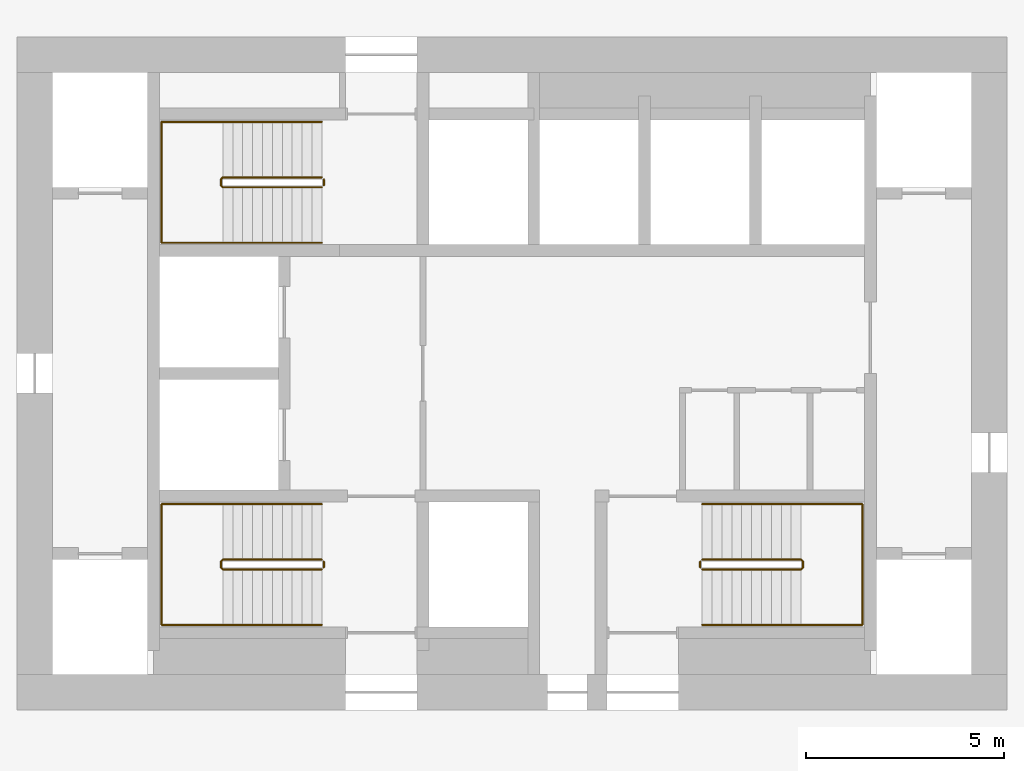
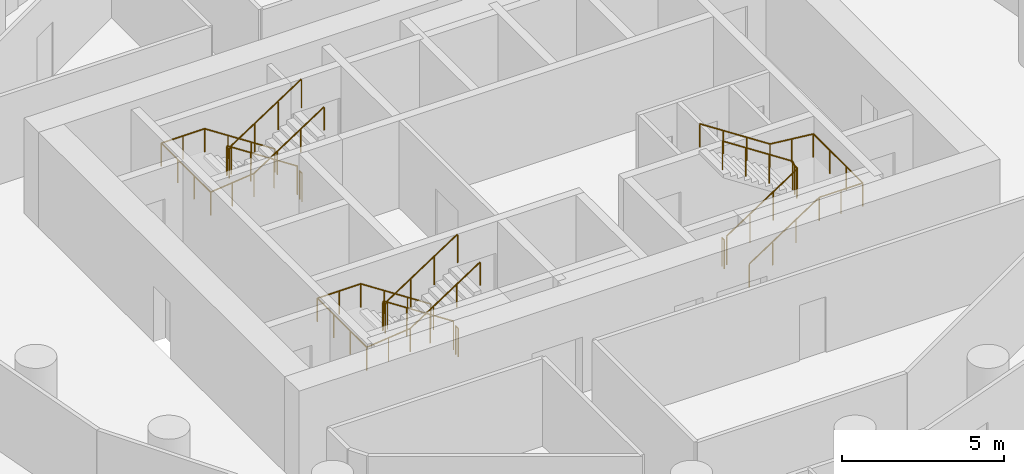
# One storey, part 9 of 9: 9 railings.
"""IFC4 building model written with IfcOpenShell, lengths in metres."""

from ifc_helpers import new_model, si_unit, direction, frame, origin, origin_2d, place, context, subcontext, project, spatial, circle, extrude, material, type_object, element, save


model = new_model("IFC4")

# Units and contexts
model_context = context("Model", 3, precision=1e-05, world=origin(), true_north=direction((0.0, 1.0)))
body_context = subcontext(model_context, "Body", "Model", "MODEL_VIEW")
ifc_project = project(units=[si_unit("LENGTHUNIT", "METRE"), si_unit("AREAUNIT", "SQUARE_METRE"), si_unit("VOLUMEUNIT", "CUBIC_METRE"), si_unit("PLANEANGLEUNIT", "RADIAN"), si_unit("MASSUNIT", "GRAM", prefix="KILO")], contexts=[model_context])

# Site, building, storey
site_placement = place(None, origin())
site = spatial("IfcSite", under=ifc_project, at=site_placement, CompositionType="ELEMENT")
building_placement = place(site_placement, origin())
building = spatial("IfcBuilding", under=site, at=building_placement, Name="Tracery Tower", CompositionType="ELEMENT")
storey_placement = place(building_placement, frame((0.0, 0.0, 183.60009765625)))
storey = spatial("IfcBuildingStorey", under=building, at=storey_placement, Name="L47", CompositionType="ELEMENT", Elevation=183.60009765625)

# Railings
ifc_material_1 = material(Name="Stainless steel and laminated glass", Category="steel")
railing_type_1 = type_object("IfcRailingType", Name="Stair guard 1100", PredefinedType="GUARDRAIL", material=ifc_material_1)
railing_1_placement = place(storey_placement, frame((-4.800048828125, -4.699951171875, 0.16357421875)))
element("IfcRailing", 1, at=railing_1_placement, inside=storey, type_object=railing_type_1, Name="L47 stair ST1 guard 1", PredefinedType="GUARDRAIL", context=body_context, shape_type="SweptSolid", body=[
    extrude(circle(Radius=0.02392578125, at=origin_2d()), frame((0.0, 0.0, 1.076171875), z_axis=(-0.836721939367, 0.0, 0.547627972425), x_axis=(0.0, -1.0, 0.0)), (0.0, 0.0, 1.0), 2.98779296875),
    extrude(circle(Radius=0.02392578125, at=origin_2d()), frame((-2.5, 0.0, 2.71240234375), z_axis=(-0.707106781187, -0.707106781187, 0.0), x_axis=(0.707106781187, -0.707106781187, 0.0)), (0.0, 0.0, 1.0), 0.07080078125),
    extrude(circle(Radius=0.02392578125, at=origin_2d()), frame((-2.550048828125, -0.050048828125, 2.71240234375), z_axis=(0.0, -1.0, 0.0), x_axis=(1.0, 0.0, 0.0)), (0.0, 0.0, 1.0), 0.14990234375),
    extrude(circle(Radius=0.02392578125, at=origin_2d()), frame((-2.550048828125, -0.199951171875, 2.71240234375), z_axis=(0.280456126637, -0.280456126637, 0.917980785237), x_axis=(0.707106781187, 0.707106781187, 0.0)), (0.0, 0.0, 1.0), 0.178466796875),
    extrude(circle(Radius=0.02392578125, at=origin_2d()), frame((-2.5, -0.25, 2.8759765625), z_axis=(0.836721939367, 0.0, 0.547627972425), x_axis=(0.0, 1.0, 0.0)), (0.0, 0.0, 1.0), 2.98779296875),
    extrude(circle(Radius=0.02099609375, at=origin_2d()), origin(), (0.0, 0.0, 1.0), 1.052001953125),
    extrude(circle(Radius=0.02099609375, at=origin_2d()), frame((-0.833251953125, 0.0, 0.54541015625)), (0.0, 0.0, 1.0), 1.052001953125),
    extrude(circle(Radius=0.02099609375, at=origin_2d()), frame((-1.666748046875, 0.0, 1.0908203125)), (0.0, 0.0, 1.0), 1.052001953125),
    extrude(circle(Radius=0.02099609375, at=origin_2d()), frame((-2.5, 0.0, 1.63623046875)), (0.0, 0.0, 1.0), 1.052001953125),
    extrude(circle(Radius=0.02099609375, at=origin_2d()), frame((-2.550048828125, -0.050048828125, 1.63623046875)), (0.0, 0.0, 1.0), 1.052001953125),
    extrude(circle(Radius=0.02099609375, at=origin_2d()), frame((-2.550048828125, -0.199951171875, 1.63623046875)), (0.0, 0.0, 1.0), 1.052001953125),
    extrude(circle(Radius=0.02099609375, at=origin_2d()), frame((-2.5, -0.25, 1.800048828125)), (0.0, 0.0, 1.0), 1.052001953125),
    extrude(circle(Radius=0.02099609375, at=origin_2d()), frame((-1.666748046875, -0.25, 2.345458984375)), (0.0, 0.0, 1.0), 1.052001953125),
    extrude(circle(Radius=0.02099609375, at=origin_2d()), frame((-0.833251953125, -0.25, 2.890869140625)), (0.0, 0.0, 1.0), 1.052001953125),
    extrude(circle(Radius=0.02099609375, at=origin_2d()), frame((0.0, -0.25, 3.436279296875)), (0.0, 0.0, 1.0), 1.052001953125),
])
railing_2_placement = place(storey_placement, frame((-4.75, -4.75, 0.0)))
element("IfcRailing", 2, at=railing_2_placement, inside=storey, type_object=railing_type_1, Name="L47 stair ST1 guard 2", PredefinedType="GUARDRAIL", context=body_context, shape_type="SweptSolid", body=[
    extrude(circle(Radius=0.02392578125, at=origin_2d()), frame((0.0, 0.0, 1.076171875), z_axis=(0.0, -1.0, 0.0), x_axis=(1.0, 0.0, 0.0)), (0.0, 0.0, 1.0), 0.14990234375),
    extrude(circle(Radius=0.02099609375, at=origin_2d()), origin(), (0.0, 0.0, 1.0), 1.052001953125),
    extrude(circle(Radius=0.02099609375, at=origin_2d()), frame((0.0, -0.14990234375, 0.0)), (0.0, 0.0, 1.0), 1.052001953125),
])
railing_3_placement = place(storey_placement, frame((-4.800048828125, 4.949951171875, 0.16357421875)))
element("IfcRailing", 3, at=railing_3_placement, inside=storey, type_object=railing_type_1, Name="L47 stair ST3 guard 1", PredefinedType="GUARDRAIL", context=body_context, shape_type="SweptSolid", body=[
    extrude(circle(Radius=0.02392578125, at=origin_2d()), frame((0.0, 0.0, 1.076171875), z_axis=(-0.836721939367, 0.0, 0.547627972425), x_axis=(0.0, -1.0, 0.0)), (0.0, 0.0, 1.0), 2.98779296875),
    extrude(circle(Radius=0.02392578125, at=origin_2d()), frame((-2.5, 0.0, 2.71240234375), z_axis=(-0.707106781187, -0.707106781187, 0.0), x_axis=(0.707106781187, -0.707106781187, 0.0)), (0.0, 0.0, 1.0), 0.07080078125),
    extrude(circle(Radius=0.02392578125, at=origin_2d()), frame((-2.550048828125, -0.050048828125, 2.71240234375), z_axis=(0.0, -1.0, 0.0), x_axis=(1.0, 0.0, 0.0)), (0.0, 0.0, 1.0), 0.14990234375),
    extrude(circle(Radius=0.02392578125, at=origin_2d()), frame((-2.550048828125, -0.199951171875, 2.71240234375), z_axis=(0.280456126637, -0.280456126637, 0.917980785237), x_axis=(0.707106781187, 0.707106781187, 0.0)), (0.0, 0.0, 1.0), 0.178466796875),
    extrude(circle(Radius=0.02392578125, at=origin_2d()), frame((-2.5, -0.25, 2.8759765625), z_axis=(0.836721939367, 0.0, 0.547627972425), x_axis=(0.0, 1.0, 0.0)), (0.0, 0.0, 1.0), 2.98779296875),
    extrude(circle(Radius=0.02099609375, at=origin_2d()), origin(), (0.0, 0.0, 1.0), 1.052001953125),
    extrude(circle(Radius=0.02099609375, at=origin_2d()), frame((-0.833251953125, 0.0, 0.54541015625)), (0.0, 0.0, 1.0), 1.052001953125),
    extrude(circle(Radius=0.02099609375, at=origin_2d()), frame((-1.666748046875, 0.0, 1.0908203125)), (0.0, 0.0, 1.0), 1.052001953125),
    extrude(circle(Radius=0.02099609375, at=origin_2d()), frame((-2.5, 0.0, 1.63623046875)), (0.0, 0.0, 1.0), 1.052001953125),
    extrude(circle(Radius=0.02099609375, at=origin_2d()), frame((-2.550048828125, -0.050048828125, 1.63623046875)), (0.0, 0.0, 1.0), 1.052001953125),
    extrude(circle(Radius=0.02099609375, at=origin_2d()), frame((-2.550048828125, -0.199951171875, 1.63623046875)), (0.0, 0.0, 1.0), 1.052001953125),
    extrude(circle(Radius=0.02099609375, at=origin_2d()), frame((-2.5, -0.25, 1.800048828125)), (0.0, 0.0, 1.0), 1.052001953125),
    extrude(circle(Radius=0.02099609375, at=origin_2d()), frame((-1.666748046875, -0.25, 2.345458984375)), (0.0, 0.0, 1.0), 1.052001953125),
    extrude(circle(Radius=0.02099609375, at=origin_2d()), frame((-0.833251953125, -0.25, 2.890869140625)), (0.0, 0.0, 1.0), 1.052001953125),
    extrude(circle(Radius=0.02099609375, at=origin_2d()), frame((0.0, -0.25, 3.436279296875)), (0.0, 0.0, 1.0), 1.052001953125),
])
railing_4_placement = place(storey_placement, frame((-4.75, 4.89990234375, 0.0)))
element("IfcRailing", 4, at=railing_4_placement, inside=storey, type_object=railing_type_1, Name="L47 stair ST3 guard 2", PredefinedType="GUARDRAIL", context=body_context, shape_type="SweptSolid", body=[
    extrude(circle(Radius=0.02392578125, at=origin_2d()), frame((0.0, 0.0, 1.076171875), z_axis=(0.0, -1.0, 0.0), x_axis=(1.0, 0.0, 0.0)), (0.0, 0.0, 1.0), 0.14990234375),
    extrude(circle(Radius=0.02099609375, at=origin_2d()), origin(), (0.0, 0.0, 1.0), 1.052001953125),
    extrude(circle(Radius=0.02099609375, at=origin_2d()), frame((0.0, -0.14990234375, 0.0)), (0.0, 0.0, 1.0), 1.052001953125),
])
railing_5_placement = place(storey_placement, frame((4.800048828125, -4.949951171875, 0.16357421875)))
element("IfcRailing", 5, at=railing_5_placement, inside=storey, type_object=railing_type_1, Name="L47 stair ST2 guard 1", PredefinedType="GUARDRAIL", context=body_context, shape_type="SweptSolid", body=[
    extrude(circle(Radius=0.02392578125, at=origin_2d()), frame((0.0, 0.0, 1.076171875), z_axis=(0.836721939367, 0.0, 0.547627972425), x_axis=(0.0, 1.0, 0.0)), (0.0, 0.0, 1.0), 2.98779296875),
    extrude(circle(Radius=0.02392578125, at=origin_2d()), frame((2.5, 0.0, 2.71240234375), z_axis=(0.707106781187, 0.707106781187, 0.0), x_axis=(-0.707106781187, 0.707106781187, 0.0)), (0.0, 0.0, 1.0), 0.07080078125),
    extrude(circle(Radius=0.02392578125, at=origin_2d()), frame((2.550048828125, 0.050048828125, 2.71240234375), z_axis=(0.0, 1.0, 0.0), x_axis=(-1.0, 0.0, 0.0)), (0.0, 0.0, 1.0), 0.14990234375),
    extrude(circle(Radius=0.02392578125, at=origin_2d()), frame((2.550048828125, 0.199951171875, 2.71240234375), z_axis=(-0.280456126637, 0.280456126637, 0.917980785237), x_axis=(-0.707106781187, -0.707106781187, 0.0)), (0.0, 0.0, 1.0), 0.178466796875),
    extrude(circle(Radius=0.02392578125, at=origin_2d()), frame((2.5, 0.25, 2.8759765625), z_axis=(-0.836721939367, 0.0, 0.547627972425), x_axis=(0.0, -1.0, 0.0)), (0.0, 0.0, 1.0), 2.98779296875),
    extrude(circle(Radius=0.02099609375, at=origin_2d()), origin(), (0.0, 0.0, 1.0), 1.052001953125),
    extrude(circle(Radius=0.02099609375, at=origin_2d()), frame((0.833251953125, 0.0, 0.54541015625)), (0.0, 0.0, 1.0), 1.052001953125),
    extrude(circle(Radius=0.02099609375, at=origin_2d()), frame((1.666748046875, 0.0, 1.0908203125)), (0.0, 0.0, 1.0), 1.052001953125),
    extrude(circle(Radius=0.02099609375, at=origin_2d()), frame((2.5, 0.0, 1.63623046875)), (0.0, 0.0, 1.0), 1.052001953125),
    extrude(circle(Radius=0.02099609375, at=origin_2d()), frame((2.550048828125, 0.050048828125, 1.63623046875)), (0.0, 0.0, 1.0), 1.052001953125),
    extrude(circle(Radius=0.02099609375, at=origin_2d()), frame((2.550048828125, 0.199951171875, 1.63623046875)), (0.0, 0.0, 1.0), 1.052001953125),
    extrude(circle(Radius=0.02099609375, at=origin_2d()), frame((2.5, 0.25, 1.800048828125)), (0.0, 0.0, 1.0), 1.052001953125),
    extrude(circle(Radius=0.02099609375, at=origin_2d()), frame((1.666748046875, 0.25, 2.345458984375)), (0.0, 0.0, 1.0), 1.052001953125),
    extrude(circle(Radius=0.02099609375, at=origin_2d()), frame((0.833251953125, 0.25, 2.890869140625)), (0.0, 0.0, 1.0), 1.052001953125),
    extrude(circle(Radius=0.02099609375, at=origin_2d()), frame((0.0, 0.25, 3.436279296875)), (0.0, 0.0, 1.0), 1.052001953125),
])
railing_6_placement = place(storey_placement, frame((4.75, -4.89990234375, 0.0)))
element("IfcRailing", 6, at=railing_6_placement, inside=storey, type_object=railing_type_1, Name="L47 stair ST2 guard 2", PredefinedType="GUARDRAIL", context=body_context, shape_type="SweptSolid", body=[
    extrude(circle(Radius=0.02392578125, at=origin_2d()), frame((0.0, 0.0, 1.076171875), z_axis=(0.0, 1.0, 0.0), x_axis=(-1.0, 0.0, 0.0)), (0.0, 0.0, 1.0), 0.14990234375),
    extrude(circle(Radius=0.02099609375, at=origin_2d()), origin(), (0.0, 0.0, 1.0), 1.052001953125),
    extrude(circle(Radius=0.02099609375, at=origin_2d()), frame((0.0, 0.14990234375, 0.0)), (0.0, 0.0, 1.0), 1.052001953125),
])
ifc_material_2 = material(Name="Stainless steel and laminated glass", Category="steel")
railing_type_2 = type_object("IfcRailingType", Name="Stair handrail 900", PredefinedType="HANDRAIL", material=ifc_material_2)
railing_7_placement = place(storey_placement, frame((-4.800048828125, -3.300048828125, 0.16357421875)))
element("IfcRailing", 7, at=railing_7_placement, inside=storey, type_object=railing_type_2, Name="L47 stair ST1 handrail 1", PredefinedType="HANDRAIL", context=body_context, shape_type="SweptSolid", body=[
    extrude(circle(Radius=0.02392578125, at=origin_2d()), frame((0.0, 0.0, 0.8759765625), z_axis=(-0.836721939367, 0.0, 0.547627972425), x_axis=(0.0, -1.0, 0.0)), (0.0, 0.0, 1.0), 2.98779296875),
    extrude(circle(Radius=0.02392578125, at=origin_2d()), frame((-2.5, 0.0, 2.51220703125), z_axis=(-1.0, 0.0, 0.0), x_axis=(0.0, -1.0, 0.0)), (0.0, 0.0, 1.0), 1.550048828125),
    extrude(circle(Radius=0.02392578125, at=origin_2d()), frame((-4.050048828125, 0.0, 2.51220703125), z_axis=(0.0, -1.0, 0.0), x_axis=(1.0, 0.0, 0.0)), (0.0, 0.0, 1.0), 3.050048828125),
    extrude(circle(Radius=0.02392578125, at=origin_2d()), frame((-4.050048828125, -3.050048828125, 2.51220703125), z_axis=(0.994461594632, 0.0, 0.105100603244), x_axis=(0.0, 1.0, 0.0)), (0.0, 0.0, 1.0), 1.55859375),
    extrude(circle(Radius=0.02392578125, at=origin_2d()), frame((-2.5, -3.050048828125, 2.67578125), z_axis=(0.836721939367, 0.0, 0.547627972425), x_axis=(0.0, 1.0, 0.0)), (0.0, 0.0, 1.0), 2.98779296875),
    extrude(circle(Radius=0.02099609375, at=origin_2d()), origin(), (0.0, 0.0, 1.0), 0.851806640625),
    extrude(circle(Radius=0.02099609375, at=origin_2d()), frame((-0.833251953125, 0.0, 0.54541015625)), (0.0, 0.0, 1.0), 0.851806640625),
    extrude(circle(Radius=0.02099609375, at=origin_2d()), frame((-1.666748046875, 0.0, 1.0908203125)), (0.0, 0.0, 1.0), 0.851806640625),
    extrude(circle(Radius=0.02099609375, at=origin_2d()), frame((-2.5, 0.0, 1.63623046875)), (0.0, 0.0, 1.0), 0.851806640625),
    extrude(circle(Radius=0.02099609375, at=origin_2d()), frame((-3.27490234375, 0.0, 1.63623046875)), (0.0, 0.0, 1.0), 0.851806640625),
    extrude(circle(Radius=0.02099609375, at=origin_2d()), frame((-4.050048828125, 0.0, 1.63623046875)), (0.0, 0.0, 1.0), 0.851806640625),
    extrude(circle(Radius=0.02099609375, at=origin_2d()), frame((-4.050048828125, -1.0166015625, 1.63623046875)), (0.0, 0.0, 1.0), 0.851806640625),
    extrude(circle(Radius=0.02099609375, at=origin_2d()), frame((-4.050048828125, -2.033447265625, 1.63623046875)), (0.0, 0.0, 1.0), 0.851806640625),
    extrude(circle(Radius=0.02099609375, at=origin_2d()), frame((-4.050048828125, -3.050048828125, 1.63623046875)), (0.0, 0.0, 1.0), 0.851806640625),
    extrude(circle(Radius=0.02099609375, at=origin_2d()), frame((-3.27490234375, -3.050048828125, 1.71826171875)), (0.0, 0.0, 1.0), 0.851806640625),
    extrude(circle(Radius=0.02099609375, at=origin_2d()), frame((-2.5, -3.050048828125, 1.800048828125)), (0.0, 0.0, 1.0), 0.851806640625),
    extrude(circle(Radius=0.02099609375, at=origin_2d()), frame((-1.666748046875, -3.050048828125, 2.345458984375)), (0.0, 0.0, 1.0), 0.851806640625),
    extrude(circle(Radius=0.02099609375, at=origin_2d()), frame((-0.833251953125, -3.050048828125, 2.890869140625)), (0.0, 0.0, 1.0), 0.851806640625),
    extrude(circle(Radius=0.02099609375, at=origin_2d()), frame((0.0, -3.050048828125, 3.436279296875)), (0.0, 0.0, 1.0), 0.851806640625),
])
railing_8_placement = place(storey_placement, frame((-4.800048828125, 6.35009765625, 0.16357421875)))
element("IfcRailing", 8, at=railing_8_placement, inside=storey, type_object=railing_type_2, Name="L47 stair ST3 handrail 1", PredefinedType="HANDRAIL", context=body_context, shape_type="SweptSolid", body=[
    extrude(circle(Radius=0.02392578125, at=origin_2d()), frame((0.0, 0.0, 0.8759765625), z_axis=(-0.836721939367, 0.0, 0.547627972425), x_axis=(0.0, -1.0, 0.0)), (0.0, 0.0, 1.0), 2.98779296875),
    extrude(circle(Radius=0.02392578125, at=origin_2d()), frame((-2.5, 0.0, 2.51220703125), z_axis=(-1.0, 0.0, 0.0), x_axis=(0.0, -1.0, 0.0)), (0.0, 0.0, 1.0), 1.550048828125),
    extrude(circle(Radius=0.02392578125, at=origin_2d()), frame((-4.050048828125, 0.0, 2.51220703125), z_axis=(0.0, -1.0, 0.0), x_axis=(1.0, 0.0, 0.0)), (0.0, 0.0, 1.0), 3.050048828125),
    extrude(circle(Radius=0.02392578125, at=origin_2d()), frame((-4.050048828125, -3.050048828125, 2.51220703125), z_axis=(0.994461594632, 0.0, 0.105100603244), x_axis=(0.0, 1.0, 0.0)), (0.0, 0.0, 1.0), 1.55859375),
    extrude(circle(Radius=0.02392578125, at=origin_2d()), frame((-2.5, -3.050048828125, 2.67578125), z_axis=(0.836721939367, 0.0, 0.547627972425), x_axis=(0.0, 1.0, 0.0)), (0.0, 0.0, 1.0), 2.98779296875),
    extrude(circle(Radius=0.02099609375, at=origin_2d()), origin(), (0.0, 0.0, 1.0), 0.851806640625),
    extrude(circle(Radius=0.02099609375, at=origin_2d()), frame((-0.833251953125, 0.0, 0.54541015625)), (0.0, 0.0, 1.0), 0.851806640625),
    extrude(circle(Radius=0.02099609375, at=origin_2d()), frame((-1.666748046875, 0.0, 1.0908203125)), (0.0, 0.0, 1.0), 0.851806640625),
    extrude(circle(Radius=0.02099609375, at=origin_2d()), frame((-2.5, 0.0, 1.63623046875)), (0.0, 0.0, 1.0), 0.851806640625),
    extrude(circle(Radius=0.02099609375, at=origin_2d()), frame((-3.27490234375, 0.0, 1.63623046875)), (0.0, 0.0, 1.0), 0.851806640625),
    extrude(circle(Radius=0.02099609375, at=origin_2d()), frame((-4.050048828125, 0.0, 1.63623046875)), (0.0, 0.0, 1.0), 0.851806640625),
    extrude(circle(Radius=0.02099609375, at=origin_2d()), frame((-4.050048828125, -1.0166015625, 1.63623046875)), (0.0, 0.0, 1.0), 0.851806640625),
    extrude(circle(Radius=0.02099609375, at=origin_2d()), frame((-4.050048828125, -2.033447265625, 1.63623046875)), (0.0, 0.0, 1.0), 0.851806640625),
    extrude(circle(Radius=0.02099609375, at=origin_2d()), frame((-4.050048828125, -3.050048828125, 1.63623046875)), (0.0, 0.0, 1.0), 0.851806640625),
    extrude(circle(Radius=0.02099609375, at=origin_2d()), frame((-3.27490234375, -3.050048828125, 1.71826171875)), (0.0, 0.0, 1.0), 0.851806640625),
    extrude(circle(Radius=0.02099609375, at=origin_2d()), frame((-2.5, -3.050048828125, 1.800048828125)), (0.0, 0.0, 1.0), 0.851806640625),
    extrude(circle(Radius=0.02099609375, at=origin_2d()), frame((-1.666748046875, -3.050048828125, 2.345458984375)), (0.0, 0.0, 1.0), 0.851806640625),
    extrude(circle(Radius=0.02099609375, at=origin_2d()), frame((-0.833251953125, -3.050048828125, 2.890869140625)), (0.0, 0.0, 1.0), 0.851806640625),
    extrude(circle(Radius=0.02099609375, at=origin_2d()), frame((0.0, -3.050048828125, 3.436279296875)), (0.0, 0.0, 1.0), 0.851806640625),
])
railing_9_placement = place(storey_placement, frame((4.800048828125, -6.35009765625, 0.16357421875)))
element("IfcRailing", 9, at=railing_9_placement, inside=storey, type_object=railing_type_2, Name="L47 stair ST2 handrail 1", PredefinedType="HANDRAIL", context=body_context, shape_type="SweptSolid", body=[
    extrude(circle(Radius=0.02392578125, at=origin_2d()), frame((0.0, 0.0, 0.8759765625), z_axis=(0.836721939367, 0.0, 0.547627972425), x_axis=(0.0, 1.0, 0.0)), (0.0, 0.0, 1.0), 2.98779296875),
    extrude(circle(Radius=0.02392578125, at=origin_2d()), frame((2.5, 0.0, 2.51220703125), z_axis=(1.0, 0.0, 0.0), x_axis=(0.0, 1.0, 0.0)), (0.0, 0.0, 1.0), 1.550048828125),
    extrude(circle(Radius=0.02392578125, at=origin_2d()), frame((4.050048828125, 0.0, 2.51220703125), z_axis=(0.0, 1.0, 0.0), x_axis=(-1.0, 0.0, 0.0)), (0.0, 0.0, 1.0), 3.050048828125),
    extrude(circle(Radius=0.02392578125, at=origin_2d()), frame((4.050048828125, 3.050048828125, 2.51220703125), z_axis=(-0.994461594632, 0.0, 0.105100603244), x_axis=(0.0, -1.0, 0.0)), (0.0, 0.0, 1.0), 1.55859375),
    extrude(circle(Radius=0.02392578125, at=origin_2d()), frame((2.5, 3.050048828125, 2.67578125), z_axis=(-0.836721939367, 0.0, 0.547627972425), x_axis=(0.0, -1.0, 0.0)), (0.0, 0.0, 1.0), 2.98779296875),
    extrude(circle(Radius=0.02099609375, at=origin_2d()), origin(), (0.0, 0.0, 1.0), 0.851806640625),
    extrude(circle(Radius=0.02099609375, at=origin_2d()), frame((0.833251953125, 0.0, 0.54541015625)), (0.0, 0.0, 1.0), 0.851806640625),
    extrude(circle(Radius=0.02099609375, at=origin_2d()), frame((1.666748046875, 0.0, 1.0908203125)), (0.0, 0.0, 1.0), 0.851806640625),
    extrude(circle(Radius=0.02099609375, at=origin_2d()), frame((2.5, 0.0, 1.63623046875)), (0.0, 0.0, 1.0), 0.851806640625),
    extrude(circle(Radius=0.02099609375, at=origin_2d()), frame((3.27490234375, 0.0, 1.63623046875)), (0.0, 0.0, 1.0), 0.851806640625),
    extrude(circle(Radius=0.02099609375, at=origin_2d()), frame((4.050048828125, 0.0, 1.63623046875)), (0.0, 0.0, 1.0), 0.851806640625),
    extrude(circle(Radius=0.02099609375, at=origin_2d()), frame((4.050048828125, 1.0166015625, 1.63623046875)), (0.0, 0.0, 1.0), 0.851806640625),
    extrude(circle(Radius=0.02099609375, at=origin_2d()), frame((4.050048828125, 2.033447265625, 1.63623046875)), (0.0, 0.0, 1.0), 0.851806640625),
    extrude(circle(Radius=0.02099609375, at=origin_2d()), frame((4.050048828125, 3.050048828125, 1.63623046875)), (0.0, 0.0, 1.0), 0.851806640625),
    extrude(circle(Radius=0.02099609375, at=origin_2d()), frame((3.27490234375, 3.050048828125, 1.71826171875)), (0.0, 0.0, 1.0), 0.851806640625),
    extrude(circle(Radius=0.02099609375, at=origin_2d()), frame((2.5, 3.050048828125, 1.800048828125)), (0.0, 0.0, 1.0), 0.851806640625),
    extrude(circle(Radius=0.02099609375, at=origin_2d()), frame((1.666748046875, 3.050048828125, 2.345458984375)), (0.0, 0.0, 1.0), 0.851806640625),
    extrude(circle(Radius=0.02099609375, at=origin_2d()), frame((0.833251953125, 3.050048828125, 2.890869140625)), (0.0, 0.0, 1.0), 0.851806640625),
    extrude(circle(Radius=0.02099609375, at=origin_2d()), frame((0.0, 3.050048828125, 3.436279296875)), (0.0, 0.0, 1.0), 0.851806640625),
])

save(model, "model.ifc")
